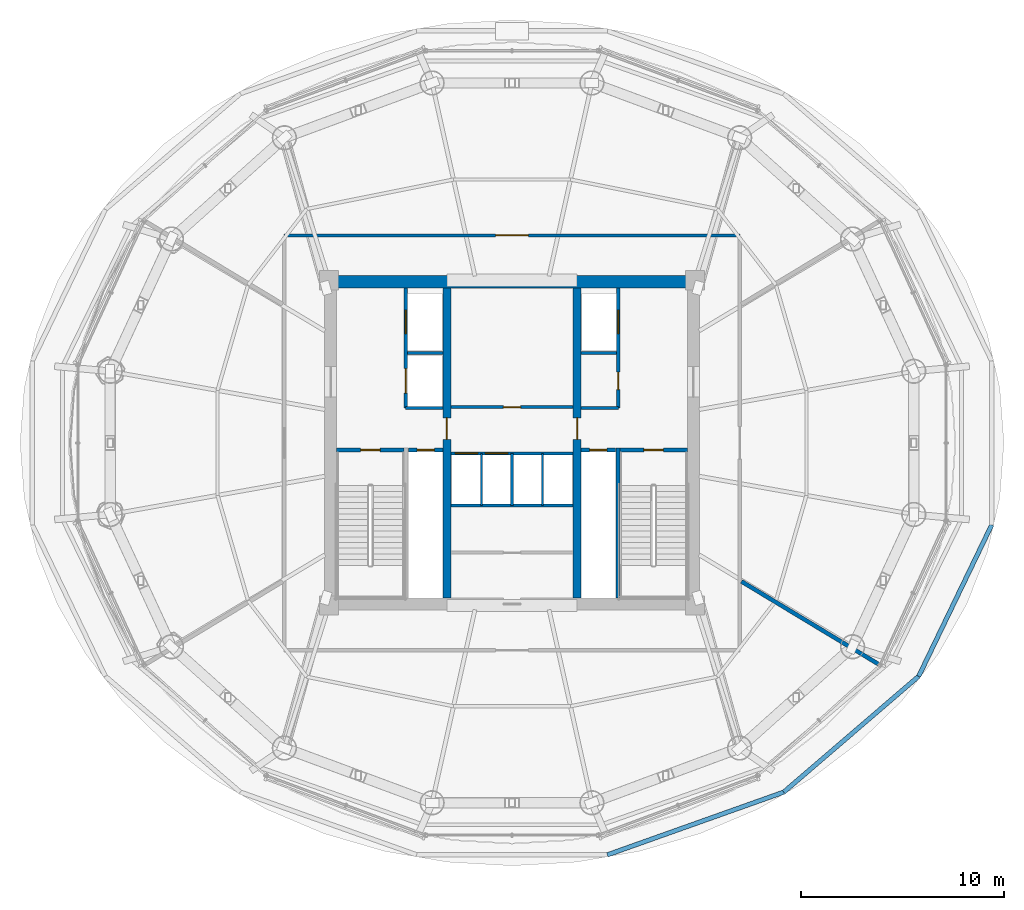
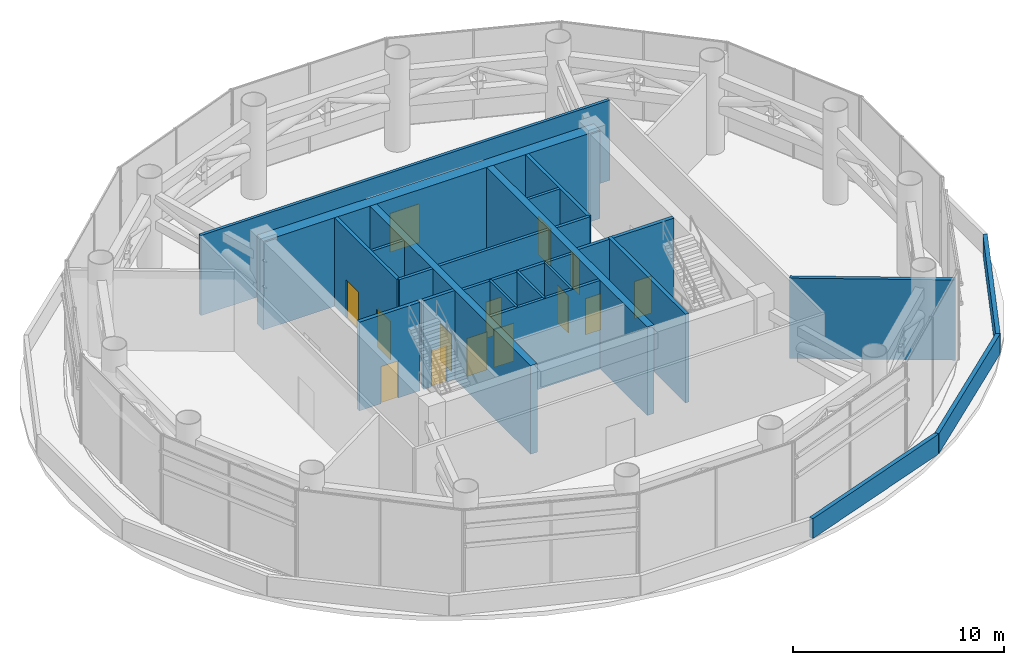
# One storey, part 21 of 25: 25 walls, 14 doors, 14 openings.
"""IFC4 building model written with IfcOpenShell, lengths in metres."""

from ifc_helpers import new_model, si_unit, direction, frame, frame_2d, origin, place, context, subcontext, project, spatial, rectangle, extrude, source, transform, mapped, material, layer, layer_set, type_object, element, fill, save


model = new_model("IFC4")

# Units and contexts
model_context = context("Model", 3, precision=1e-05, world=origin(), true_north=direction((-0.2419218956, 0.970295726276)))
body_context = subcontext(model_context, "Body", "Model", "MODEL_VIEW")
ifc_project = project(units=[si_unit("LENGTHUNIT", "METRE"), si_unit("AREAUNIT", "SQUARE_METRE"), si_unit("VOLUMEUNIT", "CUBIC_METRE"), si_unit("PLANEANGLEUNIT", "RADIAN"), si_unit("MASSUNIT", "GRAM", prefix="KILO")], contexts=[model_context])

# Site, building, storey
site_placement = place(None, origin())
site = spatial("IfcSite", under=ifc_project, at=site_placement, CompositionType="ELEMENT")
building_placement = place(site_placement, origin())
building = spatial("IfcBuilding", under=site, at=building_placement, Name="Cobrevalo Terracotta Tower", CompositionType="ELEMENT")
storey_placement = place(building_placement, frame((0.0, 0.0, 185.800048828125)))
storey = spatial("IfcBuildingStorey", under=building, at=storey_placement, Name="L49", CompositionType="ELEMENT", Elevation=185.800048828125)

# Walls
ifc_material_1 = material(Name="Concrete C55", Category="concrete")
ifc_layer_1 = layer(ifc_material_1, 0.60009765625)
ifc_layer_set_1 = layer_set([ifc_layer_1], Name="Concrete C55")
wall_type_1 = type_object("IfcWallType", Name="Core shear wall 600 mm Concrete C55", PredefinedType="SHEAR", material=ifc_layer_set_1)
wall_1_placement = place(storey_placement, frame((28.77490234375, 34.72509765625, 0.0), z_axis=(0.0, 0.0, 1.0), x_axis=(1.0, 0.0, 0.0)))
element("IfcWall", 1, at=wall_1_placement, inside=storey, type_object=wall_type_1, Name="L49 north core shear wall", PredefinedType="SHEAR", context=body_context, shape_type="SweptSolid", body=[
    extrude(rectangle(XDim=18.4501953125, YDim=0.60009765625, at=frame_2d((9.22509765625, 0.0))), origin(), (0.0, 0.0, 1.0), 5.135009765625),
])
ifc_material_2 = material(Name="Gypsum board on steel stud", Category="steel")
ifc_layer_2 = layer(ifc_material_2, 0.159912109375)
ifc_layer_set_2 = layer_set([ifc_layer_2], Name="Gypsum board on steel stud")
wall_type_2 = type_object("IfcWallType", Name="Fire-rated corridor acoustic partition wall 160 mm", PredefinedType="PARTITIONING", material=ifc_layer_set_2)
wall_2_placement = place(storey_placement, frame((32.860107421875, 31.219970703125, 0.0), z_axis=(0.0, 0.0, 1.0), x_axis=(1.0, 0.0, 0.0)))
element("IfcWall", 2, at=wall_2_placement, inside=storey, type_object=wall_type_2, Name="L49 interior partition IW-L49-FF1-M", PredefinedType="PARTITIONING", context=body_context, shape_type="SweptSolid", body=[
    extrude(rectangle(XDim=1.75, YDim=0.159912109375, at=frame_2d((0.875, 0.0))), origin(), (0.0, 0.0, 1.0), 5.135009765625),
])
wall_3_placement = place(storey_placement, frame((32.77001953125, 28.52001953125, 0.0), z_axis=(0.0, 0.0, 1.0), x_axis=(1.0, 0.0, 0.0)))
element("IfcWall", 3, at=wall_3_placement, inside=storey, type_object=wall_type_2, Name="L49 interior partition IW-L49-FF1-S", PredefinedType="PARTITIONING", context=body_context, shape_type="SweptSolid", body=[
    extrude(rectangle(XDim=1.840087890625, YDim=0.159912109375, at=frame_2d((0.919921875, 0.0))), origin(), (0.0, 0.0, 1.0), 5.135009765625),
])
wall_4_placement = place(storey_placement, frame((41.389892578125, 31.219970703125, 0.0), z_axis=(0.0, 0.0, 1.0), x_axis=(1.0, 0.0, 0.0)))
element("IfcWall", 4, at=wall_4_placement, inside=storey, type_object=wall_type_2, Name="L49 interior partition IW-L49-FF2-M", PredefinedType="PARTITIONING", context=body_context, shape_type="SweptSolid", body=[
    extrude(rectangle(XDim=1.75, YDim=0.159912109375, at=frame_2d((0.875, 0.0))), origin(), (0.0, 0.0, 1.0), 5.135009765625),
])
wall_5_placement = place(storey_placement, frame((41.389892578125, 28.52001953125, 0.0), z_axis=(0.0, 0.0, 1.0), x_axis=(1.0, 0.0, 0.0)))
element("IfcWall", 5, at=wall_5_placement, inside=storey, type_object=wall_type_2, Name="L49 interior partition IW-L49-FF2-S", PredefinedType="PARTITIONING", context=body_context, shape_type="SweptSolid", body=[
    extrude(rectangle(XDim=1.840087890625, YDim=0.159912109375, at=frame_2d((0.919921875, 0.0))), origin(), (0.0, 0.0, 1.0), 5.135009765625),
])

# Wall, opening, door
wall_6_placement = place(storey_placement, frame((34.989990234375, 28.56005859375, 0.0), z_axis=(0.0, 0.0, 1.0), x_axis=(1.0, 0.0, 0.0)))
wall_6 = element("IfcWall", 6, at=wall_6_placement, inside=storey, type_object=wall_type_2, Name="L49 interior partition IW-L49-LB-S", PredefinedType="PARTITIONING", context=body_context, shape_type="SweptSolid", body=[
    extrude(rectangle(XDim=6.02001953125, YDim=0.159912109375, at=frame_2d((3.010009765625, 0.0))), origin(), (0.0, 0.0, 1.0), 5.135009765625),
])
opening_1_placement = place(wall_6_placement, frame((2.5849609375, 0.0, 0.0)))
opening_1 = element("IfcOpeningElement", 7, at=opening_1_placement, cuts=wall_6, Name="Opening ID-22", PredefinedType="OPENING", context=body_context, shape_type="SweptSolid", body=[
    extrude(rectangle(XDim=0.85009765625, YDim=2.10009765625, at=frame_2d((0.425048828125, 1.050048828125))), frame((0.0, 0.08984375, 0.0), z_axis=(0.0, -1.0, 0.0), x_axis=(1.0, 0.0, 0.0)), (0.0, 0.0, 1.0), 0.179931640625),
])
ifc_material_3 = material(Name="Powder-coated steel", Category="steel")
door_type_1 = type_object("IfcDoorType", Name="Riser shaft & meter closet fire access door 850x2100 EI 60", OperationType="NOTDEFINED", PredefinedType="DOOR", material=ifc_material_3)
shared_shape_1 = source(origin(), body_context, "Body", "SweptSolid", [
    extrude(rectangle(XDim=0.85009765625, YDim=2.10009765625, at=frame_2d((0.425048828125, 1.050048828125))), frame((0.0, 0.02490234375, 0.0), z_axis=(0.0, -1.0, 0.0), x_axis=(1.0, 0.0, 0.0)), (0.0, 0.0, 1.0), 0.050048828125),
])
door_1_placement = place(opening_1_placement, origin())
door_1 = element("IfcDoor", 8, at=door_1_placement, inside=storey, type_object=door_type_1, Name="L49 core service door Floor Electrical Switchroom", OperationType="SINGLE_SWING_LEFT", OverallHeight=2.10009765625, OverallWidth=0.85009765625, PredefinedType="DOOR", context=body_context, shape_type="MappedRepresentation", body=[
    mapped(shared_shape_1, transform((0.0, 0.0, 0.0), scale=1.0)),
])
fill(opening_1, door_1)

# Wall, openings, doors
wall_7_placement = place(storey_placement, frame((34.989990234375, 26.280029296875, 0.0), z_axis=(0.0, 0.0, 1.0), x_axis=(1.0, 0.0, 0.0)))
wall_7 = element("IfcWall", 9, at=wall_7_placement, inside=storey, type_object=wall_type_2, Name="L49 interior partition IW-L49-MB-N", PredefinedType="PARTITIONING", context=body_context, shape_type="SweptSolid", body=[
    extrude(rectangle(XDim=6.02001953125, YDim=0.159912109375, at=frame_2d((3.010009765625, 0.0))), origin(), (0.0, 0.0, 1.0), 5.135009765625),
])
opening_2_placement = place(wall_7_placement, frame((0.22509765625, 0.0, 0.0)))
opening_2 = element("IfcOpeningElement", 10, at=opening_2_placement, cuts=wall_7, Name="Opening LD-01", PredefinedType="OPENING", context=body_context, shape_type="SweptSolid", body=[
    extrude(rectangle(XDim=1.10009765625, YDim=2.199951171875, at=frame_2d((0.550048828125, 1.10009765625))), frame((0.0, 0.08984375, 0.0), z_axis=(0.0, -1.0, 0.0), x_axis=(1.0, 0.0, 0.0)), (0.0, 0.0, 1.0), 0.179931640625),
])
opening_3_placement = place(wall_7_placement, frame((1.705078125, 0.0, 0.0)))
opening_3 = element("IfcOpeningElement", 11, at=opening_3_placement, cuts=wall_7, Name="Opening LD-01", PredefinedType="OPENING", context=body_context, shape_type="SweptSolid", body=[
    extrude(rectangle(XDim=1.10009765625, YDim=2.199951171875, at=frame_2d((0.550048828125, 1.10009765625))), frame((0.0, 0.08984375, 0.0), z_axis=(0.0, -1.0, 0.0), x_axis=(1.0, 0.0, 0.0)), (0.0, 0.0, 1.0), 0.179931640625),
])
ifc_material_4 = material(Name="Brushed stainless steel", Category="steel")
door_type_2 = type_object("IfcDoorType", Name="Passenger lift landing bi-parting sliding door 1100x2200 EI 90", OperationType="DOUBLE_DOOR_SLIDING", PredefinedType="DOOR", material=ifc_material_4)
shared_shape_2 = source(origin(), body_context, "Body", "SweptSolid", [
    extrude(rectangle(XDim=1.10009765625, YDim=2.199951171875, at=frame_2d((0.550048828125, 1.10009765625))), frame((0.0, 0.02490234375, 0.0), z_axis=(0.0, -1.0, 0.0), x_axis=(1.0, 0.0, 0.0)), (0.0, 0.0, 1.0), 0.050048828125),
])
door_2_placement = place(opening_2_placement, origin())
door_2 = element("IfcDoor", 12, at=door_2_placement, inside=storey, type_object=door_type_2, Name="L49 lift landing door PL-M1", OperationType="DOUBLE_DOOR_SLIDING", OverallHeight=2.199951171875, OverallWidth=1.10009765625, PredefinedType="DOOR", context=body_context, shape_type="MappedRepresentation", body=[
    mapped(shared_shape_2, transform((0.0, 0.0, 0.0), scale=1.0)),
])
fill(opening_2, door_2)
door_3_placement = place(opening_3_placement, origin())
door_3 = element("IfcDoor", 13, at=door_3_placement, inside=storey, type_object=door_type_2, Name="L49 lift landing door PL-M2", OperationType="DOUBLE_DOOR_SLIDING", OverallHeight=2.199951171875, OverallWidth=1.10009765625, PredefinedType="DOOR", context=body_context, shape_type="MappedRepresentation", body=[
    mapped(shared_shape_2, transform((0.0, 0.0, 0.0), scale=1.0)),
])
fill(opening_3, door_3)

# Wall
wall_8_placement = place(storey_placement, frame((34.989990234375, 23.719970703125, 0.0), z_axis=(0.0, 0.0, 1.0), x_axis=(1.0, 0.0, 0.0)))
element("IfcWall", 14, at=wall_8_placement, inside=storey, type_object=wall_type_2, Name="L49 interior partition IW-L49-MB-S", PredefinedType="PARTITIONING", context=body_context, shape_type="SweptSolid", body=[
    extrude(rectangle(XDim=6.02001953125, YDim=0.159912109375, at=frame_2d((3.010009765625, 0.0))), origin(), (0.0, 0.0, 1.0), 5.135009765625),
])

# Wall, opening, door
wall_9_placement = place(storey_placement, frame((26.794921875, 37.0048828125, 0.0), z_axis=(0.0, 0.0, 1.0), x_axis=(1.0, 0.0, 0.0)))
wall_9 = element("IfcWall", 15, at=wall_9_placement, inside=storey, type_object=wall_type_2, Name="L49 interior partition IW-L49-COR-N", PredefinedType="PARTITIONING", context=body_context, shape_type="SweptSolid", body=[
    extrude(rectangle(XDim=22.41015625, YDim=0.159912109375, at=frame_2d((11.205078125, 0.0))), origin(), (0.0, 0.0, 1.0), 4.65087890625),
])
opening_4_placement = place(wall_9_placement, frame((10.405029296875, 0.0, 0.0)))
opening_4 = element("IfcOpeningElement", 16, at=opening_4_placement, cuts=wall_9, Name="Opening ID-06", PredefinedType="OPENING", context=body_context, shape_type="SweptSolid", body=[
    extrude(rectangle(XDim=1.60009765625, YDim=2.25, at=frame_2d((0.800048828125, 1.125))), frame((0.0, 0.08984375, 0.0), z_axis=(0.0, -1.0, 0.0), x_axis=(1.0, 0.0, 0.0)), (0.0, 0.0, 1.0), 0.179931640625),
])
ifc_material_5 = material(Name="Galvanized fire-rated steel", Category="steel")
door_type_3 = type_object("IfcDoorType", Name="Plant & mechanical room double fire door 1600x2250 EI 90", OperationType="NOTDEFINED", PredefinedType="DOOR", material=ifc_material_5)
shared_shape_3 = source(origin(), body_context, "Body", "SweptSolid", [
    extrude(rectangle(XDim=1.60009765625, YDim=2.25, at=frame_2d((0.800048828125, 1.125))), frame((0.0, 0.02490234375, 0.0), z_axis=(0.0, -1.0, 0.0), x_axis=(1.0, 0.0, 0.0)), (0.0, 0.0, 1.0), 0.050048828125),
])
door_4_placement = place(opening_4_placement, origin())
door_4 = element("IfcDoor", 17, at=door_4_placement, inside=storey, type_object=door_type_3, Name="L49 Smoke Control and Electrical Plant North door", OperationType="DOUBLE_DOOR_SINGLE_SWING", OverallHeight=2.25, OverallWidth=1.60009765625, PredefinedType="DOOR", context=body_context, shape_type="MappedRepresentation", body=[
    mapped(shared_shape_3, transform((0.0, 0.0, 0.0), scale=1.0)),
])
fill(opening_4, door_4)

ifc_layer_3 = layer(ifc_material_2, 0.179931640625)
ifc_layer_set_3 = layer_set([ifc_layer_3], Name="Gypsum board on steel stud")
wall_type_3 = type_object("IfcWallType", Name="Fire-rated shaft & lobby acoustic partition wall 180 mm", PredefinedType="PARTITIONING", material=ifc_layer_set_3)
wall_10_placement = place(storey_placement, frame((32.89990234375, 26.449951171875, 0.0), z_axis=(0.0, 0.0, 1.0), x_axis=(1.0, 0.0, 0.0)))
wall_10 = element("IfcWall", 18, at=wall_10_placement, inside=storey, type_object=wall_type_3, Name="L49 interior partition IW-L49-RSW-N", PredefinedType="PARTITIONING", context=body_context, shape_type="SweptSolid", body=[
    extrude(rectangle(XDim=1.710205078125, YDim=0.179931640625, at=frame_2d((0.85498046875, 0.0))), origin(), (0.0, 0.0, 1.0), 5.135009765625),
])
opening_5_placement = place(wall_10_placement, frame((0.429931640625, 0.0, 0.0)))
opening_5 = element("IfcOpeningElement", 19, at=opening_5_placement, cuts=wall_10, Name="Opening ID-22", PredefinedType="OPENING", context=body_context, shape_type="SweptSolid", body=[
    extrude(rectangle(XDim=0.85009765625, YDim=2.10009765625, at=frame_2d((0.425048828125, 1.050048828125))), frame((0.0, 0.10009765625, 0.0), z_axis=(0.0, -1.0, 0.0), x_axis=(1.0, 0.0, 0.0)), (0.0, 0.0, 1.0), 0.199951171875),
])
door_5_placement = place(opening_5_placement, origin())
door_5 = element("IfcDoor", 20, at=door_5_placement, inside=storey, type_object=door_type_1, Name="L49 riser access door RSW", OperationType="SINGLE_SWING_LEFT", OverallHeight=2.10009765625, OverallWidth=0.85009765625, PredefinedType="DOOR", context=body_context, shape_type="MappedRepresentation", body=[
    mapped(shared_shape_1, transform((0.0, 0.0, 0.0), scale=1.0)),
])
fill(opening_5, door_5)

wall_11_placement = place(storey_placement, frame((41.389892578125, 26.449951171875, 0.0), z_axis=(0.0, 0.0, 1.0), x_axis=(1.0, 0.0, 0.0)))
wall_11 = element("IfcWall", 21, at=wall_11_placement, inside=storey, type_object=wall_type_3, Name="L49 interior partition IW-L49-RSE-N", PredefinedType="PARTITIONING", context=body_context, shape_type="SweptSolid", body=[
    extrude(rectangle(XDim=1.710205078125, YDim=0.179931640625, at=frame_2d((0.85498046875, 0.0))), origin(), (0.0, 0.0, 1.0), 5.135009765625),
])
opening_6_placement = place(wall_11_placement, frame((0.429931640625, 0.0, 0.0)))
opening_6 = element("IfcOpeningElement", 22, at=opening_6_placement, cuts=wall_11, Name="Opening ID-22", PredefinedType="OPENING", context=body_context, shape_type="SweptSolid", body=[
    extrude(rectangle(XDim=0.85009765625, YDim=2.10009765625, at=frame_2d((0.425048828125, 1.050048828125))), frame((0.0, 0.10009765625, 0.0), z_axis=(0.0, -1.0, 0.0), x_axis=(1.0, 0.0, 0.0)), (0.0, 0.0, 1.0), 0.199951171875),
])
door_6_placement = place(opening_6_placement, origin())
door_6 = element("IfcDoor", 23, at=door_6_placement, inside=storey, type_object=door_type_1, Name="L49 riser access door RSE", OperationType="SINGLE_SWING_RIGHT", OverallHeight=2.10009765625, OverallWidth=0.85009765625, PredefinedType="DOOR", context=body_context, shape_type="MappedRepresentation", body=[
    mapped(shared_shape_1, transform((0.0, 0.0, 0.0), scale=1.0)),
])
fill(opening_6, door_6)

# Wall, openings, doors
wall_12_placement = place(storey_placement, frame((32.77001953125, 28.52001953125, 0.0), z_axis=(0.0, 0.0, 1.0), x_axis=(0.0, 1.0, 0.0)))
wall_12 = element("IfcWall", 24, at=wall_12_placement, inside=storey, type_object=wall_type_3, Name="L49 interior partition IW-L49-FF1-W", PredefinedType="PARTITIONING", context=body_context, shape_type="SweptSolid", body=[
    extrude(rectangle(XDim=5.905029296875, YDim=0.179931640625, at=frame_2d((2.95263671875, 0.0))), origin(), (0.0, 0.0, 1.0), 5.135009765625),
])
opening_7_placement = place(wall_12_placement, frame((3.655029296875, 0.0, 0.0)))
opening_7 = element("IfcOpeningElement", 25, at=opening_7_placement, cuts=wall_12, Name="Opening LD-02", PredefinedType="OPENING", context=body_context, shape_type="SweptSolid", body=[
    extrude(rectangle(XDim=1.14990234375, YDim=2.199951171875, at=frame_2d((0.574951171875, 1.10009765625))), frame((0.0, 0.10009765625, 0.0), z_axis=(0.0, -1.0, 0.0), x_axis=(1.0, 0.0, 0.0)), (0.0, 0.0, 1.0), 0.199951171875),
])
opening_8_placement = place(wall_12_placement, frame((0.72998046875, 0.0, 0.0)))
opening_8 = element("IfcOpeningElement", 26, at=opening_8_placement, cuts=wall_12, Name="Opening LD-03", PredefinedType="OPENING", context=body_context, shape_type="SweptSolid", body=[
    extrude(rectangle(XDim=1.199951171875, YDim=2.25, at=frame_2d((0.60009765625, 1.125))), frame((0.0, 0.10009765625, 0.0), z_axis=(0.0, -1.0, 0.0), x_axis=(1.0, 0.0, 0.0)), (0.0, 0.0, 1.0), 0.199951171875),
])
door_type_4 = type_object("IfcDoorType", Name="Firefighting lift landing bi-parting sliding door 1150x2200 EI 120", OperationType="DOUBLE_DOOR_SLIDING", PredefinedType="DOOR", material=ifc_material_4)
shared_shape_4 = source(origin(), body_context, "Body", "SweptSolid", [
    extrude(rectangle(XDim=1.14990234375, YDim=2.199951171875, at=frame_2d((0.574951171875, 1.10009765625))), frame((0.0, 0.02490234375, 0.0), z_axis=(0.0, -1.0, 0.0), x_axis=(1.0, 0.0, 0.0)), (0.0, 0.0, 1.0), 0.050048828125),
])
door_7_placement = place(opening_7_placement, origin())
door_7 = element("IfcDoor", 27, at=door_7_placement, inside=storey, type_object=door_type_4, Name="L49 lift landing door FF-1", OperationType="DOUBLE_DOOR_SLIDING", OverallHeight=2.199951171875, OverallWidth=1.14990234375, PredefinedType="DOOR", context=body_context, shape_type="MappedRepresentation", body=[
    mapped(shared_shape_4, transform((0.0, 0.0, 0.0), scale=1.0)),
])
fill(opening_7, door_7)
door_type_5 = type_object("IfcDoorType", Name="Service lift landing bi-parting sliding door 1200x2250 EI 120", OperationType="DOUBLE_DOOR_SLIDING", PredefinedType="DOOR", material=ifc_material_4)
shared_shape_5 = source(origin(), body_context, "Body", "SweptSolid", [
    extrude(rectangle(XDim=1.199951171875, YDim=2.25, at=frame_2d((0.60009765625, 1.125))), frame((0.0, 0.02490234375, 0.0), z_axis=(0.0, -1.0, 0.0), x_axis=(1.0, 0.0, 0.0)), (0.0, 0.0, 1.0), 0.050048828125),
])
door_8_placement = place(opening_8_placement, origin())
door_8 = element("IfcDoor", 28, at=door_8_placement, inside=storey, type_object=door_type_5, Name="L49 lift landing door SV-1", OperationType="DOUBLE_DOOR_SLIDING", OverallHeight=2.25, OverallWidth=1.199951171875, PredefinedType="DOOR", context=body_context, shape_type="MappedRepresentation", body=[
    mapped(shared_shape_5, transform((0.0, 0.0, 0.0), scale=1.0)),
])
fill(opening_8, door_8)

wall_13_placement = place(storey_placement, frame((43.22998046875, 28.52001953125, 0.0), z_axis=(0.0, 0.0, 1.0), x_axis=(0.0, 1.0, 0.0)))
wall_13 = element("IfcWall", 29, at=wall_13_placement, inside=storey, type_object=wall_type_3, Name="L49 interior partition IW-L49-FF2-E", PredefinedType="PARTITIONING", context=body_context, shape_type="SweptSolid", body=[
    extrude(rectangle(XDim=5.905029296875, YDim=0.179931640625, at=frame_2d((2.95263671875, 0.0))), origin(), (0.0, 0.0, 1.0), 5.135009765625),
])
opening_9_placement = place(wall_13_placement, frame((0.905029296875, 0.0, 0.0)))
opening_9 = element("IfcOpeningElement", 30, at=opening_9_placement, cuts=wall_13, Name="Opening ID-22", PredefinedType="OPENING", context=body_context, shape_type="SweptSolid", body=[
    extrude(rectangle(XDim=0.85009765625, YDim=2.10009765625, at=frame_2d((0.425048828125, 1.050048828125))), frame((0.0, 0.10009765625, 0.0), z_axis=(0.0, -1.0, 0.0), x_axis=(1.0, 0.0, 0.0)), (0.0, 0.0, 1.0), 0.199951171875),
])
opening_10_placement = place(wall_13_placement, frame((3.655029296875, 0.0, 0.0)))
opening_10 = element("IfcOpeningElement", 31, at=opening_10_placement, cuts=wall_13, Name="Opening LD-02", PredefinedType="OPENING", context=body_context, shape_type="SweptSolid", body=[
    extrude(rectangle(XDim=1.14990234375, YDim=2.199951171875, at=frame_2d((0.574951171875, 1.10009765625))), frame((0.0, 0.10009765625, 0.0), z_axis=(0.0, -1.0, 0.0), x_axis=(1.0, 0.0, 0.0)), (0.0, 0.0, 1.0), 0.199951171875),
])
door_9_placement = place(opening_9_placement, frame((0.85009765625, 0.0, 0.0), z_axis=(0.0, 0.0, 1.0), x_axis=(-1.0, 0.0, 0.0)))
door_9 = element("IfcDoor", 32, at=door_9_placement, inside=storey, type_object=door_type_1, Name="L49 housekeeping store door", OperationType="SINGLE_SWING_RIGHT", OverallHeight=2.10009765625, OverallWidth=0.85009765625, PredefinedType="DOOR", context=body_context, shape_type="MappedRepresentation", body=[
    mapped(shared_shape_1, transform((0.0, 0.0, 0.0), scale=1.0)),
])
fill(opening_9, door_9)
door_10_placement = place(opening_10_placement, origin())
door_10 = element("IfcDoor", 33, at=door_10_placement, inside=storey, type_object=door_type_4, Name="L49 lift landing door FF-2", OperationType="DOUBLE_DOOR_SLIDING", OverallHeight=2.199951171875, OverallWidth=1.14990234375, PredefinedType="DOOR", context=body_context, shape_type="MappedRepresentation", body=[
    mapped(shared_shape_4, transform((0.0, 0.0, 0.0), scale=1.0)),
])
fill(opening_10, door_10)

# Walls
ifc_material_6 = material(Name="Autoclaved aerated concrete block", Category="concrete")
ifc_layer_4 = layer(ifc_material_6, 0.199951171875)
ifc_layer_set_4 = layer_set([ifc_layer_4], Name="Autoclaved aerated concrete block")
wall_type_4 = type_object("IfcWallType", Name="Fire-rated stair, shaft & demising masonry wall 200 mm", PredefinedType="PARTITIONING", material=ifc_layer_set_4)
wall_14_placement = place(storey_placement, frame((49.28662109375, 19.98486328125, 0.0), z_axis=(0.0, 0.0, 1.0), x_axis=(0.856056928747, -0.516881548078, 0.0)))
element("IfcWall", 34, at=wall_14_placement, inside=storey, type_object=wall_type_4, Name="L49 interior partition IW-L49-PW3", PredefinedType="PARTITIONING", context=body_context, shape_type="SweptSolid", body=[
    extrude(rectangle(XDim=7.86376953125, YDim=0.199951171875, at=frame_2d((3.931884765625, 0.0))), origin(), (0.0, 0.0, 1.0), 4.65087890625),
])
ifc_layer_5 = layer(ifc_material_6, 0.1201171875)
ifc_layer_set_5 = layer_set([ifc_layer_5], Name="Autoclaved aerated concrete block")
wall_type_5 = type_object("IfcWallType", Name="Fire-rated wet-room & core service partition 120 mm", PredefinedType="PARTITIONING", material=ifc_layer_set_5)
for number, where, z_axis, x_axis, name in (
    (35, (36.5, 23.719970703125, 0.0), (0.0, 0.0, 1.0), (0.0, 1.0, 0.0), "L49 interior partition IW-L49-MB-D1"),
    (36, (39.5, 23.719970703125, 0.0), (0.0, 0.0, 1.0), (0.0, 1.0, 0.0), "L49 interior partition IW-L49-MB-D3"),
):
    element("IfcWall", number, at=place(storey_placement, frame(where, z_axis=z_axis, x_axis=x_axis)), inside=storey, type_object=wall_type_5, Name=name, PredefinedType="PARTITIONING", context=body_context, shape_type="SweptSolid", body=[
        extrude(rectangle(XDim=2.56005859375, YDim=0.1201171875, at=frame_2d((1.280029296875, 0.0))), origin(), (0.0, 0.0, 1.0), 5.135009765625),
    ])

# Wall, opening, door
ifc_material_7 = material(Name="Concrete C50", Category="concrete")
ifc_layer_6 = layer(ifc_material_7, 0.3798828125)
ifc_layer_set_6 = layer_set([ifc_layer_6], Name="Concrete C50")
wall_type_6 = type_object("IfcWallType", Name="Internal core shear web wall 380 mm Concrete C50", PredefinedType="SHEAR", material=ifc_layer_set_6)
wall_15_placement = place(storey_placement, frame((34.800048828125, 19.175048828125, 0.0), z_axis=(0.0, 0.0, 1.0), x_axis=(0.0, 1.0, 0.0)))
wall_15 = element("IfcWall", 37, at=wall_15_placement, inside=storey, type_object=wall_type_6, Name="L49 internal core shear wall WEB-W", PredefinedType="SHEAR", context=body_context, shape_type="SweptSolid", body=[
    extrude(rectangle(XDim=15.25, YDim=0.3798828125, at=frame_2d((7.625, 0.0))), origin(), (0.0, 0.0, 1.0), 5.135009765625),
])
opening_11_placement = place(wall_15_placement, frame((7.800048828125, 0.0, 0.0)))
opening_11 = element("IfcOpeningElement", 38, at=opening_11_placement, cuts=wall_15, Name="Opening ID-11", PredefinedType="OPENING", context=body_context, shape_type="SweptSolid", body=[
    extrude(rectangle(XDim=1.050048828125, YDim=2.14990234375, at=frame_2d((0.52490234375, 1.074951171875))), frame((0.0, 0.199951171875, 0.0), z_axis=(0.0, -1.0, 0.0), x_axis=(1.0, 0.0, 0.0)), (0.0, 0.0, 1.0), 0.39990234375),
])
door_type_6 = type_object("IfcDoorType", Name="Core concourse cross fire door 1050x2150 EI 90", OperationType="NOTDEFINED", PredefinedType="DOOR", material=ifc_material_5)
shared_shape_6 = source(origin(), body_context, "Body", "SweptSolid", [
    extrude(rectangle(XDim=1.050048828125, YDim=2.14990234375, at=frame_2d((0.52490234375, 1.074951171875))), frame((0.0, 0.02490234375, 0.0), z_axis=(0.0, -1.0, 0.0), x_axis=(1.0, 0.0, 0.0)), (0.0, 0.0, 1.0), 0.050048828125),
])
door_11_placement = place(opening_11_placement, origin())
door_11 = element("IfcDoor", 39, at=door_11_placement, inside=storey, type_object=door_type_6, Name="L49 west core concourse cross door", OperationType="SINGLE_SWING_LEFT", OverallHeight=2.14990234375, OverallWidth=1.050048828125, PredefinedType="DOOR", context=body_context, shape_type="MappedRepresentation", body=[
    mapped(shared_shape_6, transform((0.0, 0.0, 0.0), scale=1.0)),
])
fill(opening_11, door_11)

wall_16_placement = place(storey_placement, frame((41.199951171875, 19.175048828125, 0.0), z_axis=(0.0, 0.0, 1.0), x_axis=(0.0, 1.0, 0.0)))
wall_16 = element("IfcWall", 40, at=wall_16_placement, inside=storey, type_object=wall_type_6, Name="L49 internal core shear wall WEB-E", PredefinedType="SHEAR", context=body_context, shape_type="SweptSolid", body=[
    extrude(rectangle(XDim=15.25, YDim=0.3798828125, at=frame_2d((7.625, 0.0))), origin(), (0.0, 0.0, 1.0), 5.135009765625),
])
opening_12_placement = place(wall_16_placement, frame((7.800048828125, 0.0, 0.0)))
opening_12 = element("IfcOpeningElement", 41, at=opening_12_placement, cuts=wall_16, Name="Opening ID-11", PredefinedType="OPENING", context=body_context, shape_type="SweptSolid", body=[
    extrude(rectangle(XDim=1.050048828125, YDim=2.14990234375, at=frame_2d((0.52490234375, 1.074951171875))), frame((0.0, 0.199951171875, 0.0), z_axis=(0.0, -1.0, 0.0), x_axis=(1.0, 0.0, 0.0)), (0.0, 0.0, 1.0), 0.39990234375),
])
door_12_placement = place(opening_12_placement, frame((1.050048828125, 0.0, 0.0), z_axis=(0.0, 0.0, 1.0), x_axis=(-1.0, 0.0, 0.0)))
door_12 = element("IfcDoor", 42, at=door_12_placement, inside=storey, type_object=door_type_6, Name="L49 east core concourse cross door", OperationType="SINGLE_SWING_RIGHT", OverallHeight=2.14990234375, OverallWidth=1.050048828125, PredefinedType="DOOR", context=body_context, shape_type="MappedRepresentation", body=[
    mapped(shared_shape_6, transform((0.0, 0.0, 0.0), scale=1.0)),
])
fill(opening_12, door_12)

# Walls
ifc_layer_7 = layer(ifc_material_6, 0.139892578125)
ifc_layer_set_7 = layer_set([ifc_layer_7], Name="Autoclaved aerated concrete block")
wall_type_7 = type_object("IfcWallType", Name="Moisture-resistant wet-room & core service partition 140 mm", PredefinedType="PARTITIONING", material=ifc_layer_set_7)
wall_17_placement = place(storey_placement, frame((38.0, 23.719970703125, 0.0), z_axis=(0.0, 0.0, 1.0), x_axis=(0.0, 1.0, 0.0)))
element("IfcWall", 43, at=wall_17_placement, inside=storey, type_object=wall_type_7, Name="L49 interior partition IW-L49-MB-D2", PredefinedType="PARTITIONING", context=body_context, shape_type="SweptSolid", body=[
    extrude(rectangle(XDim=2.56005859375, YDim=0.139892578125, at=frame_2d((1.280029296875, 0.0))), origin(), (0.0, 0.0, 1.0), 5.135009765625),
])
ifc_material_8 = material(Name="Precast concrete C45", Category="concrete")
ifc_layer_8 = layer(ifc_material_8, 0.219970703125)
ifc_layer_set_8 = layer_set([ifc_layer_8], Name="Precast concrete C45")
wall_type_8 = type_object("IfcWallType", Name="Precast concrete roof and setback terrace parapet wall 220 mm", PredefinedType="PARAPET", material=ifc_layer_set_8)
wall_18_placement = place(storey_placement, frame((42.69384765625, 6.536865234375, 0.0), z_axis=(0.0, 0.0, 1.0), x_axis=(0.942173755835, 0.335124773504, 0.0)))
element("IfcWall", 44, at=wall_18_placement, inside=storey, type_object=wall_type_8, Name="L49 setback roof concrete parapet 13", PredefinedType="PARAPET", context=body_context, shape_type="SweptSolid", body=[
    extrude(rectangle(XDim=9.205322265625, YDim=0.219970703125, at=frame_2d((4.6025390625, 0.0))), origin(), (0.0, 0.0, 1.0), 1.14990234375),
])
wall_19_placement = place(storey_placement, frame((51.366943359375, 9.621826171875, 0.0), z_axis=(0.0, 0.0, 1.0), x_axis=(0.758673296268, 0.651471280664, 0.0)))
element("IfcWall", 45, at=wall_19_placement, inside=storey, type_object=wall_type_8, Name="L49 setback roof concrete parapet 14", PredefinedType="PARAPET", context=body_context, shape_type="SweptSolid", body=[
    extrude(rectangle(XDim=8.749755859375, YDim=0.219970703125, at=frame_2d((4.375, 0.0))), origin(), (0.0, 0.0, 1.0), 1.14990234375),
])
wall_20_placement = place(storey_placement, frame((58.005126953125, 15.322021484375, 0.0), z_axis=(0.0, 0.0, 1.0), x_axis=(0.434472436511, 0.900685129172, 0.0)))
element("IfcWall", 46, at=wall_20_placement, inside=storey, type_object=wall_type_8, Name="L49 setback roof concrete parapet 15", PredefinedType="PARAPET", context=body_context, shape_type="SweptSolid", body=[
    extrude(rectangle(XDim=8.268798828125, YDim=0.219970703125, at=frame_2d((4.13427734375, 0.0))), origin(), (0.0, 0.0, 1.0), 1.14990234375),
])

# Wall, opening, door
ifc_layer_9 = layer(ifc_material_7, 0.199951171875)
ifc_layer_set_9 = layer_set([ifc_layer_9], Name="Concrete C50")
wall_type_9 = type_object("IfcWallType", Name="Structural core & podium stair-shaft RC wall 200 mm Concrete C50", PredefinedType="SOLIDWALL", material=ifc_layer_set_9)
wall_21_placement = place(storey_placement, frame((29.375, 26.449951171875, 0.0), z_axis=(0.0, 0.0, 1.0), x_axis=(1.0, 0.0, 0.0)))
wall_21 = element("IfcWall", 47, at=wall_21_placement, inside=storey, type_object=wall_type_9, Name="L49 ST-1 north structural shaft wall", PredefinedType="SOLIDWALL", context=body_context, shape_type="SweptSolid", body=[
    extrude(rectangle(XDim=3.320068359375, YDim=0.199951171875, at=frame_2d((1.66015625, 0.0))), origin(), (0.0, 0.0, 1.0), 5.135009765625),
])
opening_13_placement = place(wall_21_placement, frame((1.18505859375, 0.0, 0.0)))
opening_13 = element("IfcOpeningElement", 48, at=opening_13_placement, cuts=wall_21, Name="Opening ID-04", PredefinedType="OPENING", context=body_context, shape_type="SweptSolid", body=[
    extrude(rectangle(XDim=0.949951171875, YDim=2.14990234375, at=frame_2d((0.47509765625, 1.074951171875))), frame((0.0, 0.10986328125, 0.0), z_axis=(0.0, -1.0, 0.0), x_axis=(1.0, 0.0, 0.0)), (0.0, 0.0, 1.0), 0.219970703125),
])
door_type_7 = type_object("IfcDoorType", Name="Stair & firefighting lobby fire door 950x2150 EI 90", OperationType="NOTDEFINED", PredefinedType="DOOR", material=ifc_material_5)
shared_shape_7 = source(origin(), body_context, "Body", "SweptSolid", [
    extrude(rectangle(XDim=0.949951171875, YDim=2.14990234375, at=frame_2d((0.47509765625, 1.074951171875))), frame((0.0, 0.02490234375, 0.0), z_axis=(0.0, -1.0, 0.0), x_axis=(1.0, 0.0, 0.0)), (0.0, 0.0, 1.0), 0.050048828125),
])
door_13_placement = place(opening_13_placement, origin())
door_13 = element("IfcDoor", 49, at=door_13_placement, inside=storey, type_object=door_type_7, Name="L49 protected stair ST1 fire door", OperationType="SINGLE_SWING_LEFT", OverallHeight=2.14990234375, OverallWidth=0.949951171875, PredefinedType="DOOR", context=body_context, shape_type="MappedRepresentation", body=[
    mapped(shared_shape_7, transform((0.0, 0.0, 0.0), scale=1.0)),
])
fill(opening_13, door_13)

# Wall
wall_22_placement = place(storey_placement, frame((43.205078125, 19.175048828125, 0.0), z_axis=(0.0, 0.0, 1.0), x_axis=(0.0, 1.0, 0.0)))
element("IfcWall", 50, at=wall_22_placement, inside=storey, type_object=wall_type_9, Name="L49 ST-2 west structural shaft wall", PredefinedType="SOLIDWALL", context=body_context, shape_type="SweptSolid", body=[
    extrude(rectangle(XDim=7.375, YDim=0.199951171875, at=frame_2d((3.6875, 0.0))), origin(), (0.0, 0.0, 1.0), 5.135009765625),
])

# Wall, opening, door
wall_23_placement = place(storey_placement, frame((43.304931640625, 26.449951171875, 0.0), z_axis=(0.0, 0.0, 1.0), x_axis=(1.0, 0.0, 0.0)))
wall_23 = element("IfcWall", 51, at=wall_23_placement, inside=storey, type_object=wall_type_9, Name="L49 ST-2 north structural shaft wall", PredefinedType="SOLIDWALL", context=body_context, shape_type="SweptSolid", body=[
    extrude(rectangle(XDim=3.320068359375, YDim=0.199951171875, at=frame_2d((1.66015625, 0.0))), origin(), (0.0, 0.0, 1.0), 5.135009765625),
])
opening_14_placement = place(wall_23_placement, frame((1.18505859375, 0.0, 0.0)))
opening_14 = element("IfcOpeningElement", 52, at=opening_14_placement, cuts=wall_23, Name="Opening ID-04", PredefinedType="OPENING", context=body_context, shape_type="SweptSolid", body=[
    extrude(rectangle(XDim=0.949951171875, YDim=2.14990234375, at=frame_2d((0.47509765625, 1.074951171875))), frame((0.0, 0.10986328125, 0.0), z_axis=(0.0, -1.0, 0.0), x_axis=(1.0, 0.0, 0.0)), (0.0, 0.0, 1.0), 0.219970703125),
])
door_14_placement = place(opening_14_placement, frame((0.949951171875, 0.0, 0.0), z_axis=(0.0, 0.0, 1.0), x_axis=(-1.0, 0.0, 0.0)))
door_14 = element("IfcDoor", 53, at=door_14_placement, inside=storey, type_object=door_type_7, Name="L49 protected stair ST2 fire door", OperationType="SINGLE_SWING_RIGHT", OverallHeight=2.14990234375, OverallWidth=0.949951171875, PredefinedType="DOOR", context=body_context, shape_type="MappedRepresentation", body=[
    mapped(shared_shape_7, transform((0.0, 0.0, 0.0), scale=1.0)),
])
fill(opening_14, door_14)

save(model, "model.ifc")
